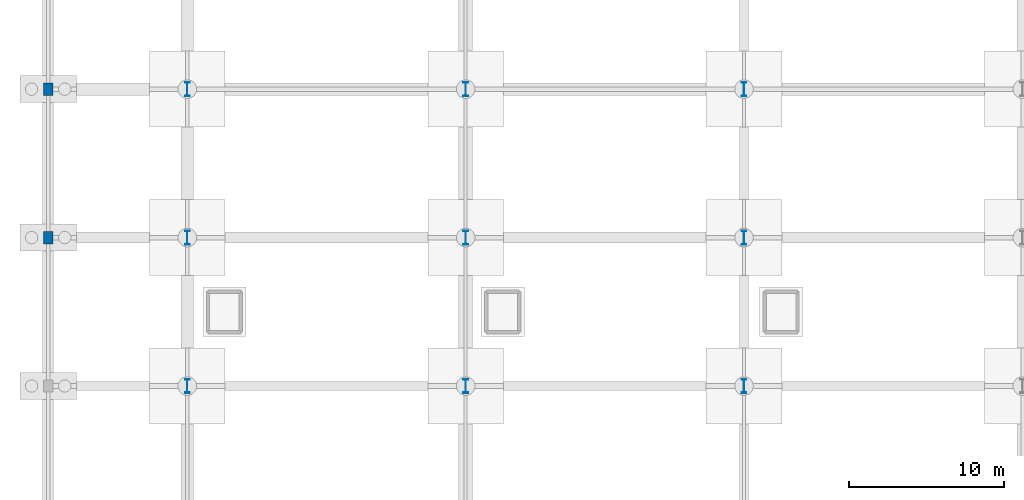
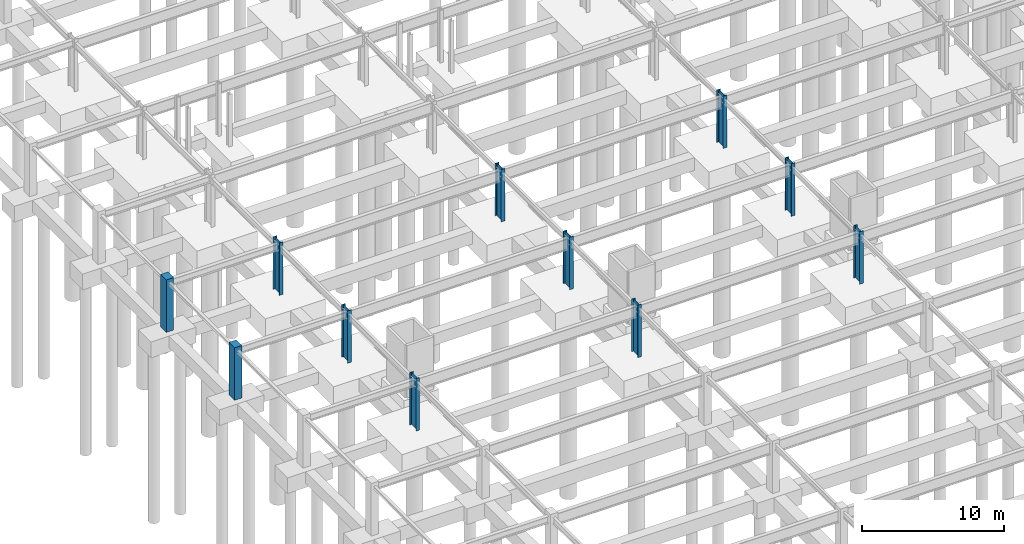
# One storey, part 11 of 59: 11 columns.
"""IFC4 building model written with IfcOpenShell, lengths in metres."""

import ifcopenshell
import ifcopenshell.guid

model = None  # the IFC model being written
_history = None  # IfcOwnerHistory: only IFC2X3 demands one
_inside = {}  # id of a spatial element -> (the spatial element, [elements in it])
_under = {}  # id of a project, library or spatial element -> (it, [spatial elements below it])
_declared = {}  # id of a project -> (the project, [libraries it declares])
_typed = {}  # id of a type object -> (the type object, [elements of that type])
_made_of = {}  # id of a material, layer set ... -> (it, [elements and type objects made of it])


def new_model(schema):
    """Start an empty IFC model of exactly this schema.

    Asked for "IFC4X3", IfcOpenShell would pick the latest addendum, in which some entities
    have other attributes; the version numbers below select the first issue.
    IFC2X3 requires an IfcOwnerHistory on every rooted entity: one is made here for all.
    """
    global model, _history
    if schema == "IFC4X3":
        model = ifcopenshell.file(schema_version=(4, 3, 0, 0))
    else:
        model = ifcopenshell.file(schema=schema)
    _inside.clear()
    _under.clear()
    _declared.clear()
    _typed.clear()
    _made_of.clear()
    _history = None
    if model.schema == "IFC2X3":
        org = make("IfcOrganization", Name="unknown")
        user = make(
            "IfcPersonAndOrganization",
            ThePerson=make("IfcPerson", FamilyName="unknown"),
            TheOrganization=org,
        )
        app = make(
            "IfcApplication",
            ApplicationDeveloper=org,
            Version="unknown",
            ApplicationFullName="unknown",
            ApplicationIdentifier="unknown",
        )
        _history = make(
            "IfcOwnerHistory",
            OwningUser=user,
            OwningApplication=app,
            ChangeAction="ADDED",
            CreationDate=0,
        )
    return model


def make(cls, **values):
    """One entity of the class cls with the attributes given. An attribute that is None is left unset."""
    return model.create_entity(
        cls, **{name: value for name, value in values.items() if value is not None}
    )


def rooted(cls, **values):
    """An entity with a GlobalId (a new one), such as an element, a storey or a relation."""
    return make(cls, GlobalId=ifcopenshell.guid.new(), OwnerHistory=_history, **values)


def si_unit(unit_type, name, prefix=None):
    """IfcSIUnit, for example si_unit("LENGTHUNIT", "METRE", prefix="MILLI")."""
    return make("IfcSIUnit", UnitType=unit_type, Prefix=prefix, Name=name)


def assignment(units):
    """IfcUnitAssignment: the units of a project."""
    return None if units is None else make("IfcUnitAssignment", Units=units)


def point(xyz):
    """IfcCartesianPoint."""
    return None if xyz is None else make("IfcCartesianPoint", Coordinates=xyz)


def direction(xyz):
    """IfcDirection."""
    return None if xyz is None else make("IfcDirection", DirectionRatios=xyz)


def frame(location, z_axis=None, x_axis=None):
    """IfcAxis2Placement3D, a coordinate frame: its origin and axes. An axis left out is left unset."""
    return make(
        "IfcAxis2Placement3D",
        Location=point(location),
        Axis=direction(z_axis),
        RefDirection=direction(x_axis),
    )


def frame_2d(location, x_axis=None):
    """IfcAxis2Placement2D, a coordinate frame in the plane: its origin and x axis."""
    return make(
        "IfcAxis2Placement2D", Location=point(location), RefDirection=direction(x_axis)
    )


def origin():
    """The frame at (0, 0, 0) with its axes left unset."""
    return frame((0.0, 0.0, 0.0))


def origin_2d():
    """The frame at (0, 0) in the plane with its x axis left unset."""
    return frame_2d((0.0, 0.0))


def place(relative_to, where):
    """IfcLocalPlacement: puts the frame where relative to a parent placement (None: the world)."""
    return make(
        "IfcLocalPlacement", PlacementRelTo=relative_to, RelativePlacement=where
    )


def context(
    kind, dimensions, precision=None, world=None, true_north=None, identifier=None
):
    """IfcGeometricRepresentationContext, for example the 3D "Model" context."""
    return make(
        "IfcGeometricRepresentationContext",
        ContextIdentifier=identifier,
        ContextType=kind,
        CoordinateSpaceDimension=dimensions,
        Precision=precision,
        WorldCoordinateSystem=world,
        TrueNorth=true_north,
    )


def subcontext(parent, identifier, kind, view, scale=None):
    """IfcGeometricRepresentationSubContext, for example "Body" below "Model"."""
    return make(
        "IfcGeometricRepresentationSubContext",
        ContextIdentifier=identifier,
        ContextType=kind,
        ParentContext=parent,
        TargetScale=scale,
        TargetView=view,
    )


def project(units=None, contexts=None):
    """IfcProject with its units and contexts."""
    return rooted(
        "IfcProject",
        Name="project",
        RepresentationContexts=contexts,
        UnitsInContext=assignment(units),
    )


def spatial(cls, under=None, at=None, **own):
    """A site, building, storey or space (cls), placed at a placement, below another one or the project."""
    s = rooted(cls, ObjectPlacement=at, **own)
    if under is not None:
        _under.setdefault(under.id(), (under, []))[1].append(s)
    return s


def profile(cls, at=None, kind="AREA", **sizes):
    """A parametric profile (cls). Its sizes go by their IFC names, for example OverallWidth=200.0."""
    return make(cls, ProfileType=kind, Position=at, **sizes)


def rectangle(**sizes):
    """IfcRectangleProfileDef."""
    return profile("IfcRectangleProfileDef", **sizes)


def i_section(**sizes):
    """IfcIShapeProfileDef."""
    return profile("IfcIShapeProfileDef", **sizes)


def extrude(swept, where, along, depth):
    """IfcExtrudedAreaSolid: the profile swept, set in the frame where, extruded along a direction by depth."""
    return make(
        "IfcExtrudedAreaSolid",
        SweptArea=swept,
        Position=where,
        ExtrudedDirection=direction(along),
        Depth=depth,
    )


def shape(context_of_items, identifier, shape_type, items):
    """IfcShapeRepresentation: the items that make up one representation, for example the "Body"."""
    return make(
        "IfcShapeRepresentation",
        ContextOfItems=context_of_items,
        RepresentationIdentifier=identifier,
        RepresentationType=shape_type,
        Items=items,
    )


def material(Name=None, Category=None):
    """IfcMaterial."""
    return make("IfcMaterial", Name=Name, Category=Category)


def material_profile(
    of_material, cross_section, Name=None, Category=None, Priority=None
):
    """IfcMaterialProfile: a cross section and its material."""
    return make(
        "IfcMaterialProfile",
        Name=Name,
        Material=of_material,
        Profile=cross_section,
        Priority=Priority,
        Category=Category,
    )


def profile_set(profiles, Name=None, composite=None):
    """IfcMaterialProfileSet."""
    return make(
        "IfcMaterialProfileSet",
        Name=Name,
        MaterialProfiles=profiles,
        CompositeProfile=composite,
    )


def made_of(thing, what):
    """Note that an element or type object is made of a material, layer set ...; save() writes the relation."""
    if what is not None:
        _made_of.setdefault(what.id(), (what, []))[1].append(thing)
    return thing


def type_object(cls, material=None, **own):
    """A type object (cls), such as IfcWallType, which elements share."""
    return made_of(rooted(cls, **own), material)


def element(
    cls,
    number,
    at=None,
    inside=None,
    cuts=None,
    type_object=None,
    material=None,
    context=None,
    identifier="Body",
    shape_type=None,
    held_by="IfcProductDefinitionShape",
    body=None,
    shapes=None,
    **own,
):
    """One element of the class cls, such as IfcWall. Its Tag is "e" and its number.

    at: its placement. inside: the storey or other place that contains it. cuts: it is an
    opening in that element (IfcRelVoidsElement). A single representation is given by context,
    identifier, shape_type and body (its items); several are given by shapes. held_by: the class
    of the entity that holds the representations. save() writes the other relations.
    """
    e = rooted(cls, Tag="e%d" % number, ObjectPlacement=at, **own)
    if body is not None:
        shapes = [shape(context, identifier, shape_type, body)]
    if shapes is not None:
        e.Representation = make(held_by, Representations=shapes)
    if inside is not None:
        _inside.setdefault(inside.id(), (inside, []))[1].append(e)
    if cuts is not None:
        rooted(
            "IfcRelVoidsElement", RelatingBuildingElement=cuts, RelatedOpeningElement=e
        )
    if type_object is not None:
        _typed.setdefault(type_object.id(), (type_object, []))[1].append(e)
    return made_of(e, material)


def aggregate(whole, parts):
    """IfcRelAggregates: a whole, such as a stair, and the parts it consists of."""
    return rooted("IfcRelAggregates", RelatingObject=whole, RelatedObjects=parts)


def save(model, path):
    """Write the relations noted so far, then the file.

    IfcRelAggregates (storeys below a building ...), IfcRelContainedInSpatialStructure (elements
    in a storey), IfcRelDefinesByType, IfcRelAssociatesMaterial and IfcRelDeclares: one each for
    every whole, place, type object, material and project.
    """
    for whole, parts in _under.values():
        aggregate(whole, parts)
    for where, things in _inside.values():
        rooted(
            "IfcRelContainedInSpatialStructure",
            RelatedElements=things,
            RelatingStructure=where,
        )
    for kind, things in _typed.values():
        rooted("IfcRelDefinesByType", RelatedObjects=things, RelatingType=kind)
    for what, things in _made_of.values():
        rooted("IfcRelAssociatesMaterial", RelatedObjects=things, RelatingMaterial=what)
    for by, libraries in _declared.values():
        rooted("IfcRelDeclares", RelatingContext=by, RelatedDefinitions=libraries)
    model.write(path)


model = new_model("IFC4")

# Units and contexts
model_context = context("Model", 3, precision=1e-05, world=origin(), true_north=direction((0.0, 1.0)))
body_context = subcontext(model_context, "Body", "Model", "MODEL_VIEW")
ifc_project = project(units=[si_unit("LENGTHUNIT", "METRE"), si_unit("AREAUNIT", "SQUARE_METRE"), si_unit("VOLUMEUNIT", "CUBIC_METRE"), si_unit("PLANEANGLEUNIT", "RADIAN"), si_unit("MASSUNIT", "GRAM", prefix="KILO")], contexts=[model_context])

# Site, building, storey
site_placement = place(None, origin())
site = spatial("IfcSite", under=ifc_project, at=site_placement, CompositionType="ELEMENT")
building_placement = place(site_placement, origin())
building = spatial("IfcBuilding", under=site, at=building_placement, Name="Myrtia Square Station", CompositionType="ELEMENT")
storey_placement = place(building_placement, frame((0.0, 0.0, -4.5)))
storey = spatial("IfcBuildingStorey", under=building, at=storey_placement, Name="B01", CompositionType="ELEMENT", Elevation=-4.5)

# Columns
ifc_material_1 = material(Name="Steel S355", Category="steel")
ifc_material_profile_1 = material_profile(ifc_material_1, i_section(OverallWidth=0.300048828125, OverallDepth=0.89990234375, WebThickness=0.0185546875, FlangeThickness=0.034912109375, FilletRadius=0.030029296875, at=origin_2d()), Name="HEB 900")
ifc_profile_set_1 = profile_set([ifc_material_profile_1], Name="Steel S355")
column_type_1 = type_object("IfcColumnType", Name="COL-HEB900", PredefinedType="COLUMN", material=ifc_profile_set_1)
for number, where, z_axis, x_axis, name in (
    (1, (9.0, 38.39990234375, 0.0), (0.0, 0.0, 1.0), (1.0, 0.0, 0.0), "Column B01-0046"),
    (2, (9.0, 48.0, 0.0), (0.0, 0.0, 1.0), (1.0, 0.0, 0.0), "Column B01-0049"),
    (3, (9.0, 57.60009765625, 0.0), (0.0, 0.0, 1.0), (1.0, 0.0, 0.0), "Column B01-0052"),
    (4, (27.0, 38.39990234375, 0.0), (0.0, 0.0, 1.0), (1.0, 0.0, 0.0), "Column B01-0085"),
    (5, (27.0, 48.0, 0.0), (0.0, 0.0, 1.0), (1.0, 0.0, 0.0), "Column B01-0088"),
    (6, (27.0, 57.60009765625, 0.0), (0.0, 0.0, 1.0), (1.0, 0.0, 0.0), "Column B01-0091"),
    (7, (45.0, 38.39990234375, 0.0), (0.0, 0.0, 1.0), (1.0, 0.0, 0.0), "Column B01-0127"),
    (8, (45.0, 48.0, 0.0), (0.0, 0.0, 1.0), (1.0, 0.0, 0.0), "Column B01-0130"),
    (9, (45.0, 57.60009765625, 0.0), (0.0, 0.0, 1.0), (1.0, 0.0, 0.0), "Column B01-0133"),
):
    element("IfcColumn", number, at=place(storey_placement, frame(where, z_axis=z_axis, x_axis=x_axis)), inside=storey, type_object=column_type_1, Name=name, PredefinedType="COLUMN", context=body_context, shape_type="SweptSolid", body=[
        extrude(i_section(OverallWidth=0.300048828125, OverallDepth=0.89990234375, WebThickness=0.0185546875, FlangeThickness=0.034912109375, FilletRadius=0.030029296875, at=origin_2d()), origin(), (0.0, 0.0, 1.0), 4.5),
    ])
ifc_material_2 = material(Name="Concrete C40/50", Category="concrete")
ifc_material_profile_2 = material_profile(ifc_material_2, rectangle(XDim=0.60009765625, YDim=0.800048828125, at=origin_2d()), Name="RC 600x800")
ifc_profile_set_2 = profile_set([ifc_material_profile_2], Name="Concrete C40/50")
column_type_2 = type_object("IfcColumnType", Name="COL-RC600x800", PredefinedType="COLUMN", material=ifc_profile_set_2)
for number, where, z_axis, x_axis, name in (
    (10, (0.0, 48.0, 0.0), (0.0, 0.0, 1.0), (1.0, 0.0, 0.0), "Column B01-0013"),
    (11, (0.0, 57.60009765625, 0.0), (0.0, 0.0, 1.0), (1.0, 0.0, 0.0), "Column B01-0016"),
):
    element("IfcColumn", number, at=place(storey_placement, frame(where, z_axis=z_axis, x_axis=x_axis)), inside=storey, type_object=column_type_2, Name=name, PredefinedType="COLUMN", context=body_context, shape_type="SweptSolid", body=[
        extrude(rectangle(XDim=0.60009765625, YDim=0.800048828125, at=origin_2d()), origin(), (0.0, 0.0, 1.0), 4.5),
    ])

save(model, "model.ifc")
